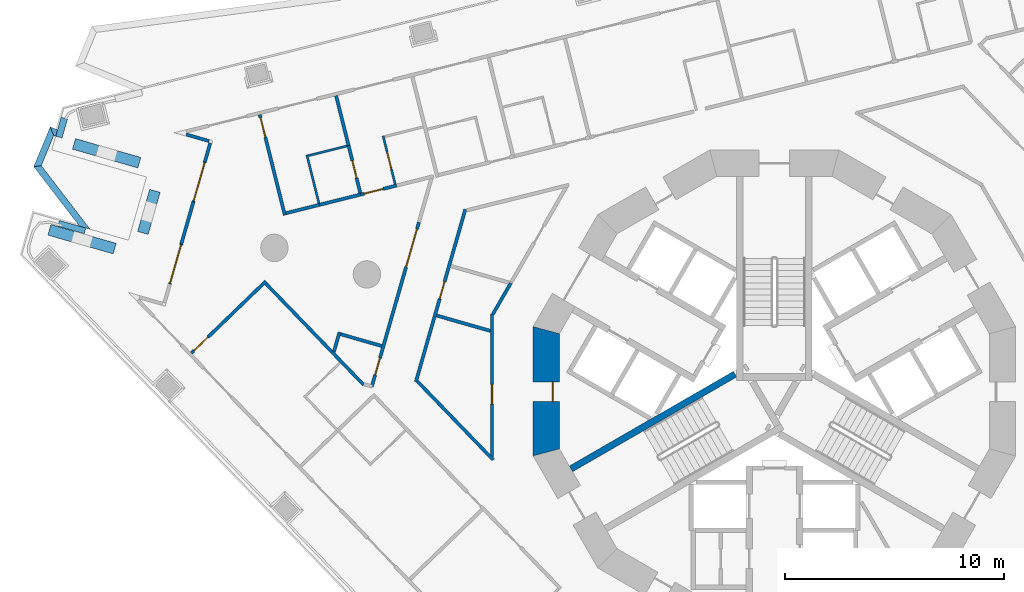
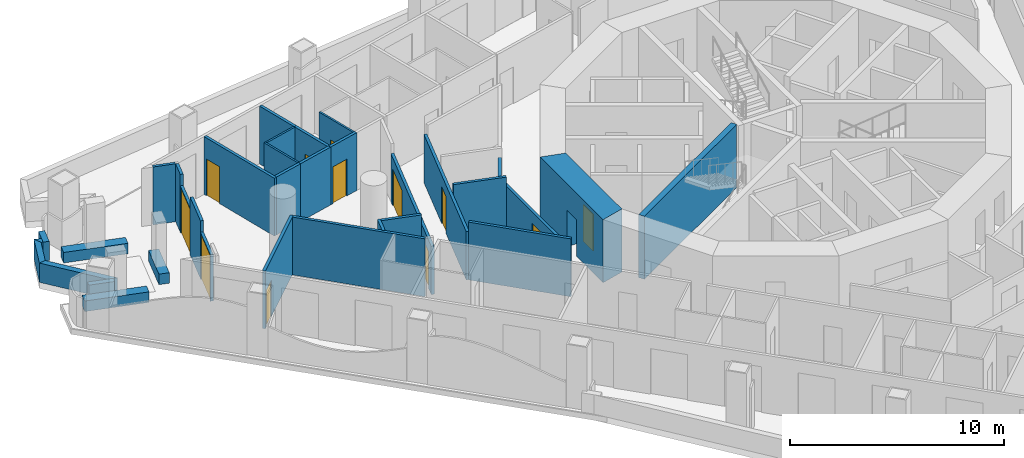
# One storey, part 6 of 19: 34 walls, 12 doors, 12 openings.
"""IFC4 building model written with IfcOpenShell, lengths in metres."""

from ifc_helpers import new_model, si_unit, direction, frame, frame_2d, origin, place, context, subcontext, project, spatial, polyline, rectangle, outline, extrude, material, layer, layer_set, type_object, element, fill, save


model = new_model("IFC4")

# Units and contexts
model_context = context("Model", 3, precision=1e-05, world=origin(), true_north=direction((0.0, 1.0)))
body_context = subcontext(model_context, "Body", "Model", "MODEL_VIEW")
ifc_project = project(units=[si_unit("LENGTHUNIT", "METRE"), si_unit("AREAUNIT", "SQUARE_METRE"), si_unit("VOLUMEUNIT", "CUBIC_METRE"), si_unit("PLANEANGLEUNIT", "RADIAN"), si_unit("MASSUNIT", "GRAM", prefix="KILO")], contexts=[model_context])

# Site, building, storey
site_placement = place(None, origin())
site = spatial("IfcSite", under=ifc_project, at=site_placement, CompositionType="ELEMENT")
building_placement = place(site_placement, origin())
building = spatial("IfcBuilding", under=site, at=building_placement, Name="Trine Commons Tower", CompositionType="ELEMENT")
storey_placement = place(building_placement, frame((0.0, 0.0, 87.300048828125)))
storey = spatial("IfcBuildingStorey", under=building, at=storey_placement, Name="L21", CompositionType="ELEMENT", Elevation=87.300048828125)

# Wall, opening, door
ifc_material_1 = material(Name="Aluminium-framed insulated wall panel", Category="aluminium")
ifc_layer_1 = layer(ifc_material_1, 0.14990234375)
ifc_layer_set_1 = layer_set([ifc_layer_1], Name="Aluminium-framed insulated wall panel")
wall_type_1 = type_object("IfcWallType", Name="Glazed frame wall 150, EI 60", PredefinedType="SOLIDWALL", material=ifc_layer_set_1)
wall_1_placement = place(storey_placement, frame((52.40771484375, 67.39501953125, 0.0), z_axis=(0.0, 0.0, 1.0), x_axis=(0.275620468433, 0.961266538157, 0.0)))
wall_1 = element("IfcWall", 1, at=wall_1_placement, inside=storey, type_object=wall_type_1, Name="Glazed frame wall P1.2", PredefinedType="SOLIDWALL", context=body_context, shape_type="SweptSolid", body=[
    extrude(outline(polyline([(0.0, -0.074951171875), (1.89990234375, -0.074951171875), (1.89990234375, 0.074951171875), (0.0, 0.074951171875), (0.0, -0.074951171875)])), origin(), (0.0, 0.0, 1.0), 2.64990234375),
])
opening_1_placement = place(wall_1_placement, frame((0.050048828125, 0.0, 0.0)))
opening_1 = element("IfcOpeningElement", 2, at=opening_1_placement, cuts=wall_1, Name="Opening BD-3P1-01", PredefinedType="OPENING", context=body_context, shape_type="SweptSolid", body=[
    extrude(rectangle(XDim=1.800048828125, YDim=2.60009765625, at=frame_2d((0.89990234375, 1.300048828125))), frame((0.0, 0.0849609375, 0.0), z_axis=(0.0, -1.0, 0.0), x_axis=(1.0, 0.0, 0.0)), (0.0, 0.0, 1.0), 0.169921875),
])
ifc_material_2 = material(Name="Anodised aluminium frame with double glazing", Category="aluminium")
door_type_1 = type_object("IfcDoorType", Name="Sliding loggia door 1800x2600", OperationType="SLIDING_TO_LEFT", PredefinedType="DOOR", material=ifc_material_2)
door_1_placement = place(opening_1_placement, origin())
door_1 = element("IfcDoor", 3, at=door_1_placement, inside=storey, type_object=door_type_1, Name="Loggia door P1 1", OperationType="SLIDING_TO_LEFT", OverallHeight=2.60009765625, OverallWidth=1.800048828125, PredefinedType="DOOR", context=body_context, shape_type="SweptSolid", body=[
    extrude(rectangle(XDim=1.800048828125, YDim=2.60009765625, at=frame_2d((0.89990234375, 1.300048828125))), frame((0.0, 0.02490234375, 0.0), z_axis=(0.0, -1.0, 0.0), x_axis=(1.0, 0.0, 0.0)), (0.0, 0.0, 1.0), 0.050048828125),
])
fill(opening_1, door_1)

# Wall
wall_2_placement = place(storey_placement, frame((52.931396484375, 69.221435546875, 0.0), z_axis=(0.0, 0.0, 1.0), x_axis=(0.275511032617, 0.961297909551, 0.0)))
element("IfcWall", 4, at=wall_2_placement, inside=storey, type_object=wall_type_1, Name="Glazed frame wall P1.3", PredefinedType="SOLIDWALL", context=body_context, shape_type="SweptSolid", body=[
    extrude(outline(polyline([(0.0, -0.074951171875), (2.0, -0.074951171875), (2.0, 0.074951171875), (0.0, 0.074951171875), (0.0, -0.074951171875)])), origin(), (0.0, 0.0, 1.0), 3.300048828125),
])

# Wall, opening, door
wall_3_placement = place(storey_placement, frame((53.482421875, 71.14404296875, 0.0), z_axis=(0.0, 0.0, 1.0), x_axis=(0.275739195228, 0.961232488119, 0.0)))
wall_3 = element("IfcWall", 5, at=wall_3_placement, inside=storey, type_object=wall_type_1, Name="Glazed frame wall P1.4", PredefinedType="SOLIDWALL", context=body_context, shape_type="SweptSolid", body=[
    extrude(outline(polyline([(0.0, -0.074951171875), (1.89990234375, -0.074951171875), (1.89990234375, 0.074951171875), (0.0, 0.074951171875), (0.0, -0.074951171875)])), origin(), (0.0, 0.0, 1.0), 2.64990234375),
])
opening_2_placement = place(wall_3_placement, frame((0.050048828125, 0.0, 0.0)))
opening_2 = element("IfcOpeningElement", 6, at=opening_2_placement, cuts=wall_3, Name="Opening BD-3P1-02", PredefinedType="OPENING", context=body_context, shape_type="SweptSolid", body=[
    extrude(rectangle(XDim=1.800048828125, YDim=2.60009765625, at=frame_2d((0.89990234375, 1.300048828125))), frame((0.0, 0.0849609375, 0.0), z_axis=(0.0, -1.0, 0.0), x_axis=(1.0, 0.0, 0.0)), (0.0, 0.0, 1.0), 0.169921875),
])
door_2_placement = place(opening_2_placement, origin())
door_2 = element("IfcDoor", 7, at=door_2_placement, inside=storey, type_object=door_type_1, Name="Loggia door P1 2", OperationType="SLIDING_TO_LEFT", OverallHeight=2.60009765625, OverallWidth=1.800048828125, PredefinedType="DOOR", context=body_context, shape_type="SweptSolid", body=[
    extrude(rectangle(XDim=1.800048828125, YDim=2.60009765625, at=frame_2d((0.89990234375, 1.300048828125))), frame((0.0, 0.02490234375, 0.0), z_axis=(0.0, -1.0, 0.0), x_axis=(1.0, 0.0, 0.0)), (0.0, 0.0, 1.0), 0.050048828125),
])
fill(opening_2, door_2)

# Walls
wall_4_placement = place(storey_placement, frame((54.00634765625, 72.970458984375, 0.0), z_axis=(0.0, 0.0, 1.0), x_axis=(0.275656175253, 0.961256299353, 0.0)))
element("IfcWall", 8, at=wall_4_placement, inside=storey, type_object=wall_type_1, Name="Glazed frame wall P1.5", PredefinedType="SOLIDWALL", context=body_context, shape_type="SweptSolid", body=[
    extrude(outline(polyline([(0.889892578125, 0.074951171875), (0.0, 0.074951171875), (0.0, -0.074951171875), (0.889892578125, -0.074951171875), (0.889892578125, 0.074951171875)])), origin(), (0.0, 0.0, 1.0), 3.300048828125),
])
wall_5_placement = place(storey_placement, frame((54.305908203125, 73.888427734375, 0.0), z_axis=(0.0, 0.0, 1.0), x_axis=(-0.961242628544, 0.275703843044, 0.0)))
element("IfcWall", 9, at=wall_5_placement, inside=storey, type_object=wall_type_1, Name="Glazed frame wall R3", PredefinedType="SOLIDWALL", context=body_context, shape_type="SweptSolid", body=[
    extrude(outline(polyline([(0.110107421875, 0.074951171875), (0.110107421875, -0.074951171875), (1.19580078125, -0.074951171875), (1.19580078125, 0.074951171875), (0.110107421875, 0.074951171875)])), origin(), (0.0, 0.0, 1.0), 3.300048828125),
])
ifc_material_3 = material(Name="Planter trough, precast concrete C40/50", Category="concrete")
ifc_layer_2 = layer(ifc_material_3, 0.5)
ifc_layer_set_2 = layer_set([ifc_layer_2], Name="Planter trough, precast concrete C40/50")
wall_type_2 = type_object("IfcWallType", Name="Planter trough 500x600", PredefinedType="PARAPET", material=ifc_layer_set_2)
wall_6_placement = place(storey_placement, frame((46.91064453125, 69.865966796875, 0.0), z_axis=(0.0, 0.0, 1.0), x_axis=(0.961261991794, -0.275636324044, 0.0)))
element("IfcWall", 10, at=wall_6_placement, inside=storey, type_object=wall_type_2, Name="Planter 1", PredefinedType="PARAPET", context=body_context, shape_type="SweptSolid", body=[
    extrude(rectangle(XDim=3.10009765625, YDim=0.5, at=frame_2d((1.550048828125, 0.0))), origin(), (0.0, 0.0, 1.0), 0.599853515625),
])
wall_7_placement = place(storey_placement, frame((51.177001953125, 69.724609375, 0.0), z_axis=(0.0, 0.0, 1.0), x_axis=(0.275623830648, 0.961265574115, 0.0)))
element("IfcWall", 11, at=wall_7_placement, inside=storey, type_object=wall_type_2, Name="Planter 2", PredefinedType="PARAPET", context=body_context, shape_type="SweptSolid", body=[
    extrude(rectangle(XDim=2.0, YDim=0.5, at=frame_2d((1.0, 0.0))), origin(), (0.0, 0.0, 1.0), 0.599853515625),
])
wall_8_placement = place(storey_placement, frame((51.01513671875, 72.93359375, 0.0), z_axis=(0.0, 0.0, 1.0), x_axis=(-0.961261991794, 0.275636324044, 0.0)))
element("IfcWall", 12, at=wall_8_placement, inside=storey, type_object=wall_type_2, Name="Planter 3", PredefinedType="PARAPET", context=body_context, shape_type="SweptSolid", body=[
    extrude(rectangle(XDim=3.10009765625, YDim=0.5, at=frame_2d((1.550048828125, 0.0))), origin(), (0.0, 0.0, 1.0), 0.599853515625),
])

# Wall, opening, door
ifc_material_4 = material(Name="Concrete C70/85", Category="concrete")
ifc_layer_3 = layer(ifc_material_4, 1.199951171875)
ifc_layer_set_3 = layer_set([ifc_layer_3], Name="Concrete C70/85")
wall_type_3 = type_object("IfcWallType", Name="RC shear wall 1200 mm, C70/85", PredefinedType="SHEAR", material=ifc_layer_set_3)
wall_9_placement = place(storey_placement, frame((69.58837890625, 65.450439453125, 0.0), z_axis=(0.0, 0.0, 1.0), x_axis=(0.0, -1.0, 0.0)))
wall_9 = element("IfcWall", 13, at=wall_9_placement, inside=storey, type_object=wall_type_3, Name="Core wall CWC-07 L21", PredefinedType="SHEAR", context=body_context, shape_type="SweptSolid", body=[
    extrude(outline(polyline([(0.0, -0.60009765625), (5.90087890625, -0.60009765625), (5.57958984375, 0.60009765625), (0.321533203125, 0.60009765625), (0.0, -0.60009765625)])), origin(), (0.0, 0.0, 1.0), 3.599853515625),
])
opening_3_placement = place(wall_9_placement, frame((2.525390625, 0.0, 0.0)))
opening_3 = element("IfcOpeningElement", 14, at=opening_3_placement, cuts=wall_9, Name="Opening K04.14", PredefinedType="OPENING", context=body_context, shape_type="SweptSolid", body=[
    extrude(rectangle(XDim=0.89990234375, YDim=2.10009765625, at=frame_2d((0.449951171875, 1.050048828125))), frame((0.0, 0.60986328125, 0.0), z_axis=(0.0, -1.0, 0.0), x_axis=(1.0, 0.0, 0.0)), (0.0, 0.0, 1.0), 1.219970703125),
])
ifc_material_5 = material(Name="Steel door leaf, fire-rated", Category="steel")
door_type_2 = type_object("IfcDoorType", Name="Core room door, single leaf 900 x 2100, FD30S", OperationType="SINGLE_SWING_LEFT", PredefinedType="DOOR", material=ifc_material_5)
door_3_placement = place(opening_3_placement, origin())
door_3 = element("IfcDoor", 15, at=door_3_placement, inside=storey, type_object=door_type_2, Name="Door to Print room L21", OperationType="SINGLE_SWING_RIGHT", OverallHeight=2.10009765625, OverallWidth=0.89990234375, PredefinedType="DOOR", context=body_context, shape_type="SweptSolid", body=[
    extrude(rectangle(XDim=0.89990234375, YDim=2.10009765625, at=frame_2d((0.449951171875, 1.050048828125))), frame((0.0, 0.3251953125, 0.0), z_axis=(0.0, -1.0, 0.0), x_axis=(1.0, 0.0, 0.0)), (0.0, 0.0, 1.0), 0.050048828125),
])
fill(opening_3, door_3)

# Walls
ifc_layer_4 = layer(ifc_material_4, 0.300048828125)
ifc_layer_set_4 = layer_set([ifc_layer_4], Name="Concrete C70/85")
wall_type_4 = type_object("IfcWallType", Name="RC shear wall 300 mm, C70/85", PredefinedType="SHEAR", material=ifc_layer_set_4)
wall_10_placement = place(storey_placement, frame((78.199951171875, 63.280029296875, 0.0), z_axis=(0.0, 0.0, 1.0), x_axis=(-0.865965399159, -0.500103916661, 0.0)))
element("IfcWall", 16, at=wall_10_placement, inside=storey, type_object=wall_type_4, Name="Core cross wall SWA-07 L21", PredefinedType="SHEAR", context=body_context, shape_type="SweptSolid", body=[
    extrude(rectangle(XDim=8.642333984375, YDim=0.300048828125, at=frame_2d((4.3212890625, 0.0))), origin(), (0.0, 0.0, 1.0), 3.599853515625),
])
ifc_material_6 = material(Name="Limestone, honed", Category="masonry")
ifc_layer_5 = layer(ifc_material_6, 0.300048828125)
ifc_layer_set_5 = layer_set([ifc_layer_5], Name="Limestone, honed")
wall_type_5 = type_object("IfcWallType", Name="Stone parapet 300", PredefinedType="PARAPET", material=ifc_layer_set_5)
wall_11_placement = place(storey_placement, origin())
element("IfcWall", 17, at=wall_11_placement, inside=storey, type_object=wall_type_5, Name="Sliver roof parapet L20 1.1", PredefinedType="PARAPET", context=body_context, shape_type="SweptSolid", body=[
    extrude(outline(polyline([(47.28271484375, 74.428466796875), (46.948486328125, 74.56689453125), (47.110595703125, 74.1748046875), (47.199462890625, 74.13818359375), (47.28271484375, 74.428466796875)])), origin(), (0.0, 0.0, 1.0), 1.099853515625),
])
wall_12_placement = place(storey_placement, origin())
element("IfcWall", 18, at=wall_12_placement, inside=storey, type_object=wall_type_5, Name="Sliver roof parapet L20 1.2", PredefinedType="PARAPET", context=body_context, shape_type="SweptSolid", body=[
    extrude(outline(polyline([(46.948486328125, 74.56689453125), (46.19677734375, 72.752197265625), (46.5400390625, 72.797607421875), (47.110595703125, 74.1748046875), (46.948486328125, 74.56689453125)])), origin(), (0.0, 0.0, 1.0), 1.099853515625),
])
wall_13_placement = place(storey_placement, origin())
element("IfcWall", 19, at=wall_13_placement, inside=storey, type_object=wall_type_5, Name="Sliver roof parapet L20 1.3", PredefinedType="PARAPET", context=body_context, shape_type="SweptSolid", body=[
    extrude(outline(polyline([(46.19677734375, 72.752197265625), (48.281982421875, 70.034423828125), (48.766845703125, 69.8955078125), (46.5400390625, 72.797607421875), (46.19677734375, 72.752197265625)])), origin(), (0.0, 0.0, 1.0), 1.099853515625),
])
wall_14_placement = place(storey_placement, origin())
element("IfcWall", 20, at=wall_14_placement, inside=storey, type_object=wall_type_5, Name="Sliver roof parapet extension L20 1.X1", PredefinedType="PARAPET", context=body_context, shape_type="SweptSolid", body=[
    extrude(outline(polyline([(47.199951171875, 74.139892578125), (47.48828125, 74.057373046875), (47.736328125, 74.922607421875), (47.447998046875, 75.005126953125), (47.28662109375, 74.442138671875), (47.199951171875, 74.139892578125)])), origin(), (0.0, 0.0, 1.0), 1.099853515625),
])
wall_15_placement = place(storey_placement, origin())
element("IfcWall", 21, at=wall_15_placement, inside=storey, type_object=wall_type_5, Name="Sliver roof parapet extension L20 1.X2", PredefinedType="PARAPET", context=body_context, shape_type="SweptSolid", body=[
    extrude(outline(polyline([(47.368896484375, 70.29638671875), (47.29443359375, 70.036865234375), (48.49609375, 69.6923828125), (48.570556640625, 69.951904296875), (48.051025390625, 70.100830078125), (47.368896484375, 70.29638671875)])), origin(), (0.0, 0.0, 1.0), 1.099853515625),
])

# Wall, opening, door
ifc_material_7 = material(Name="Gypsum plasterboard on steel stud", Category="steel")
ifc_layer_6 = layer(ifc_material_7, 0.14990234375)
ifc_layer_set_6 = layer_set([ifc_layer_6], Name="Gypsum plasterboard on steel stud")
wall_type_6 = type_object("IfcWallType", Name="Unit and corridor wall 150 mm, EI 60", PredefinedType="PARTITIONING", material=ifc_layer_set_6)
wall_16_placement = place(storey_placement, frame((53.393798828125, 64.24169921875, 0.0), z_axis=(0.0, 0.0, 1.0), x_axis=(0.719250925674, 0.694750391088, 0.0)))
wall_16 = element("IfcWall", 22, at=wall_16_placement, inside=storey, type_object=wall_type_6, Name="Partition 001", PredefinedType="PARTITIONING", context=body_context, shape_type="SweptSolid", body=[
    extrude(rectangle(XDim=4.723388671875, YDim=0.14990234375, at=frame_2d((2.36181640625, 0.0))), origin(), (0.0, 0.0, 1.0), 3.300048828125),
])
opening_4_placement = place(wall_16_placement, frame((0.14990234375, 0.0, 0.0)))
opening_4 = element("IfcOpeningElement", 23, at=opening_4_placement, cuts=wall_16, Name="Opening D-3A28", PredefinedType="OPENING", context=body_context, shape_type="SweptSolid", body=[
    extrude(rectangle(XDim=0.89990234375, YDim=2.10009765625, at=frame_2d((0.449951171875, 1.050048828125))), frame((0.0, 0.0849609375, 0.0), z_axis=(0.0, -1.0, 0.0), x_axis=(1.0, 0.0, 0.0)), (0.0, 0.0, 1.0), 0.169921875),
])
ifc_material_8 = material(Name="Timber fire door set", Category="wood")
door_type_3 = type_object("IfcDoorType", Name="Bedroom door 900 x 2100, FD30S", OperationType="NOTDEFINED", PredefinedType="DOOR", material=ifc_material_8)
door_4_placement = place(opening_4_placement, frame((0.89990234375, 0.0, 0.0), z_axis=(0.0, 0.0, 1.0), x_axis=(-1.0, 0.0, 0.0)))
door_4 = element("IfcDoor", 24, at=door_4_placement, inside=storey, type_object=door_type_3, Name="Door D-3A28", OperationType="SINGLE_SWING_RIGHT", OverallHeight=2.10009765625, OverallWidth=0.89990234375, PredefinedType="DOOR", context=body_context, shape_type="SweptSolid", body=[
    extrude(rectangle(XDim=0.89990234375, YDim=2.10009765625, at=frame_2d((0.449951171875, 1.050048828125))), frame((0.0, 0.02490234375, 0.0), z_axis=(0.0, -1.0, 0.0), x_axis=(1.0, 0.0, 0.0)), (0.0, 0.0, 1.0), 0.050048828125),
])
fill(opening_4, door_4)

wall_17_placement = place(storey_placement, frame((56.513671875, 75.122314453125, 0.0), z_axis=(0.0, 0.0, 1.0), x_axis=(0.24185448203, -0.970312531879, 0.0)))
wall_17 = element("IfcWall", 25, at=wall_17_placement, inside=storey, type_object=wall_type_6, Name="Partition 002", PredefinedType="PARTITIONING", context=body_context, shape_type="SweptSolid", body=[
    extrude(rectangle(XDim=4.72314453125, YDim=0.14990234375, at=frame_2d((2.361572265625, 0.0))), origin(), (0.0, 0.0, 1.0), 3.300048828125),
])
opening_5_placement = place(wall_17_placement, frame((0.14990234375, 0.0, 0.0)))
opening_5 = element("IfcOpeningElement", 26, at=opening_5_placement, cuts=wall_17, Name="Opening D-3A07", PredefinedType="OPENING", context=body_context, shape_type="SweptSolid", body=[
    extrude(rectangle(XDim=0.89990234375, YDim=2.10009765625, at=frame_2d((0.449951171875, 1.050048828125))), frame((0.0, 0.0849609375, 0.0), z_axis=(0.0, -1.0, 0.0), x_axis=(1.0, 0.0, 0.0)), (0.0, 0.0, 1.0), 0.169921875),
])
door_5_placement = place(opening_5_placement, origin())
door_5 = element("IfcDoor", 27, at=door_5_placement, inside=storey, type_object=door_type_3, Name="Door D-3A07", OperationType="SINGLE_SWING_LEFT", OverallHeight=2.10009765625, OverallWidth=0.89990234375, PredefinedType="DOOR", context=body_context, shape_type="SweptSolid", body=[
    extrude(rectangle(XDim=0.89990234375, YDim=2.10009765625, at=frame_2d((0.449951171875, 1.050048828125))), frame((0.0, 0.02490234375, 0.0), z_axis=(0.0, -1.0, 0.0), x_axis=(1.0, 0.0, 0.0)), (0.0, 0.0, 1.0), 0.050048828125),
])
fill(opening_5, door_5)

# Walls
wall_18_placement = place(storey_placement, frame((56.7890625, 67.4169921875, 0.0), z_axis=(0.0, 0.0, 1.0), x_axis=(0.694658112977, -0.719340048986, 0.0)))
element("IfcWall", 28, at=wall_18_placement, inside=storey, type_object=wall_type_6, Name="Partition 003", PredefinedType="PARTITIONING", context=body_context, shape_type="SweptSolid", body=[
    extrude(rectangle(XDim=6.439453125, YDim=0.14990234375, at=frame_2d((3.2197265625, 0.0))), origin(), (0.0, 0.0, 1.0), 3.300048828125),
])
wall_19_placement = place(storey_placement, frame((57.710693359375, 70.630126953125, 0.0), z_axis=(0.0, 0.0, 1.0), x_axis=(0.970352827437, 0.2416927601, 0.0)))
element("IfcWall", 29, at=wall_19_placement, inside=storey, type_object=wall_type_6, Name="Partition 004", PredefinedType="PARTITIONING", context=body_context, shape_type="SweptSolid", body=[
    extrude(rectangle(XDim=1.567626953125, YDim=0.14990234375, at=frame_2d((0.78369140625, 0.0))), origin(), (0.0, 0.0, 1.0), 3.300048828125),
])
wall_20_placement = place(storey_placement, frame((59.22509765625, 71.007080078125, 0.0), z_axis=(0.0, 0.0, 1.0), x_axis=(0.970245142025, 0.242124687666, 0.0)))
element("IfcWall", 30, at=wall_20_placement, inside=storey, type_object=wall_type_6, Name="Partition 010", PredefinedType="PARTITIONING", context=body_context, shape_type="SweptSolid", body=[
    extrude(rectangle(XDim=1.957275390625, YDim=0.14990234375, at=frame_2d((0.978515625, 0.0))), origin(), (0.0, 0.0, 1.0), 3.300048828125),
])
wall_21_placement = place(storey_placement, frame((59.8935546875, 64.295166015625, 0.0), z_axis=(0.0, 0.0, 1.0), x_axis=(0.275099226296, 0.96141583911, 0.0)))
element("IfcWall", 31, at=wall_21_placement, inside=storey, type_object=wall_type_6, Name="Partition 011", PredefinedType="PARTITIONING", context=body_context, shape_type="SweptSolid", body=[
    extrude(rectangle(XDim=0.93798828125, YDim=0.14990234375, at=frame_2d((0.468994140625, 0.0))), origin(), (0.0, 0.0, 1.0), 3.300048828125),
])
wall_22_placement = place(storey_placement, frame((59.99560546875, 75.990234375, 0.0), z_axis=(0.0, 0.0, 1.0), x_axis=(0.242046315203, -0.970264696511, 0.0)))
element("IfcWall", 32, at=wall_22_placement, inside=storey, type_object=wall_type_6, Name="Partition 012", PredefinedType="PARTITIONING", context=body_context, shape_type="SweptSolid", body=[
    extrude(rectangle(XDim=2.34814453125, YDim=0.14990234375, at=frame_2d((1.174072265625, 0.0))), origin(), (0.0, 0.0, 1.0), 3.300048828125),
])
wall_23_placement = place(storey_placement, frame((60.203125, 65.104248046875, 0.0), z_axis=(0.0, 0.0, 1.0), x_axis=(0.961258970078, -0.275646861845, 0.0)))
element("IfcWall", 33, at=wall_23_placement, inside=storey, type_object=wall_type_6, Name="Partition 013", PredefinedType="PARTITIONING", context=body_context, shape_type="SweptSolid", body=[
    extrude(rectangle(XDim=1.9501953125, YDim=0.14990234375, at=frame_2d((0.97509765625, 0.0))), origin(), (0.0, 0.0, 1.0), 3.300048828125),
])

# Wall, opening, door
wall_24_placement = place(storey_placement, frame((60.56396484375, 73.7119140625, 0.0), z_axis=(0.0, 0.0, 1.0), x_axis=(0.241709422817, -0.970348676982, 0.0)))
wall_24 = element("IfcWall", 34, at=wall_24_placement, inside=storey, type_object=wall_type_6, Name="Partition 014", PredefinedType="PARTITIONING", context=body_context, shape_type="SweptSolid", body=[
    extrude(rectangle(XDim=2.22509765625, YDim=0.14990234375, at=frame_2d((1.112548828125, 0.0))), origin(), (0.0, 0.0, 1.0), 3.300048828125),
])
opening_6_placement = place(wall_24_placement, frame((0.712646484375, 0.0, 0.0)))
opening_6 = element("IfcOpeningElement", 35, at=opening_6_placement, cuts=wall_24, Name="Opening D-3A36", PredefinedType="OPENING", context=body_context, shape_type="SweptSolid", body=[
    extrude(rectangle(XDim=0.800048828125, YDim=2.10009765625, at=frame_2d((0.39990234375, 1.050048828125))), frame((0.0, 0.0849609375, 0.0), z_axis=(0.0, -1.0, 0.0), x_axis=(1.0, 0.0, 0.0)), (0.0, 0.0, 1.0), 0.169921875),
])
ifc_material_9 = material(Name="Painted timber", Category="wood")
door_type_4 = type_object("IfcDoorType", Name="Internal door 800 x 2100, NOT RATED", OperationType="NOTDEFINED", PredefinedType="DOOR", material=ifc_material_9)
door_6_placement = place(opening_6_placement, origin())
door_6 = element("IfcDoor", 36, at=door_6_placement, inside=storey, type_object=door_type_4, Name="Door D-3A36", OperationType="SINGLE_SWING_LEFT", OverallHeight=2.10009765625, OverallWidth=0.800048828125, PredefinedType="DOOR", context=body_context, shape_type="SweptSolid", body=[
    extrude(rectangle(XDim=0.800048828125, YDim=2.10009765625, at=frame_2d((0.39990234375, 1.050048828125))), frame((0.0, 0.02490234375, 0.0), z_axis=(0.0, -1.0, 0.0), x_axis=(1.0, 0.0, 0.0)), (0.0, 0.0, 1.0), 0.050048828125),
])
fill(opening_6, door_6)

wall_25_placement = place(storey_placement, frame((61.115966796875, 71.47900390625, 0.0), z_axis=(0.0, 0.0, 1.0), x_axis=(0.970311632009, 0.241858092252, 0.0)))
wall_25 = element("IfcWall", 37, at=wall_25_placement, inside=storey, type_object=wall_type_6, Name="Partition 015", PredefinedType="PARTITIONING", context=body_context, shape_type="SweptSolid", body=[
    extrude(rectangle(XDim=1.69580078125, YDim=0.14990234375, at=frame_2d((0.847900390625, 0.0))), origin(), (0.0, 0.0, 1.0), 3.300048828125),
])
opening_7_placement = place(wall_25_placement, frame((0.154052734375, 0.0, 0.0)))
opening_7 = element("IfcOpeningElement", 38, at=opening_7_placement, cuts=wall_25, Name="Opening D-3A08", PredefinedType="OPENING", context=body_context, shape_type="SweptSolid", body=[
    extrude(rectangle(XDim=0.89990234375, YDim=2.10009765625, at=frame_2d((0.449951171875, 1.050048828125))), frame((0.0, 0.0849609375, 0.0), z_axis=(0.0, -1.0, 0.0), x_axis=(1.0, 0.0, 0.0)), (0.0, 0.0, 1.0), 0.169921875),
])
door_7_placement = place(opening_7_placement, origin())
door_7 = element("IfcDoor", 39, at=door_7_placement, inside=storey, type_object=door_type_3, Name="Door D-3A08", OperationType="SINGLE_SWING_LEFT", OverallHeight=2.10009765625, OverallWidth=0.89990234375, PredefinedType="DOOR", context=body_context, shape_type="SweptSolid", body=[
    extrude(rectangle(XDim=0.89990234375, YDim=2.10009765625, at=frame_2d((0.449951171875, 1.050048828125))), frame((0.0, 0.02490234375, 0.0), z_axis=(0.0, -1.0, 0.0), x_axis=(1.0, 0.0, 0.0)), (0.0, 0.0, 1.0), 0.050048828125),
])
fill(opening_7, door_7)

# Wall, openings, doors
wall_26_placement = place(storey_placement, frame((61.625, 62.715087890625, 0.0), z_axis=(0.0, 0.0, 1.0), x_axis=(0.275614307244, 0.961268304711, 0.0)))
wall_26 = element("IfcWall", 40, at=wall_26_placement, inside=storey, type_object=wall_type_6, Name="Partition 018", PredefinedType="PARTITIONING", context=body_context, shape_type="SweptSolid", body=[
    extrude(rectangle(XDim=7.796875, YDim=0.14990234375, at=frame_2d((3.8984375, 0.0))), origin(), (0.0, 0.0, 1.0), 2.75),
])
opening_8_placement = place(wall_26_placement, frame((5.67919921875, 0.0, 0.0)))
opening_8 = element("IfcOpeningElement", 41, at=opening_8_placement, cuts=wall_26, Name="Opening D-3A03", PredefinedType="OPENING", context=body_context, shape_type="SweptSolid", body=[
    extrude(rectangle(XDim=1.800048828125, YDim=2.10009765625, at=frame_2d((0.89990234375, 1.050048828125))), frame((0.0, 0.0849609375, 0.0), z_axis=(0.0, -1.0, 0.0), x_axis=(1.0, 0.0, 0.0)), (0.0, 0.0, 1.0), 0.169921875),
])
opening_9_placement = place(wall_26_placement, frame((0.554443359375, 0.0, 0.0)))
opening_9 = element("IfcOpeningElement", 42, at=opening_9_placement, cuts=wall_26, Name="Opening D-3A06", PredefinedType="OPENING", context=body_context, shape_type="SweptSolid", body=[
    extrude(rectangle(XDim=0.800048828125, YDim=2.10009765625, at=frame_2d((0.39990234375, 1.050048828125))), frame((0.0, 0.0849609375, 0.0), z_axis=(0.0, -1.0, 0.0), x_axis=(1.0, 0.0, 0.0)), (0.0, 0.0, 1.0), 0.169921875),
])
door_type_5 = type_object("IfcDoorType", Name="Cluster entrance door 1800 x 2100, double leaf, FD30S", OperationType="DOUBLE_DOOR_DOUBLE_SWING", PredefinedType="DOOR", material=ifc_material_8)
door_8_placement = place(opening_8_placement, origin())
door_8 = element("IfcDoor", 43, at=door_8_placement, inside=storey, type_object=door_type_5, Name="Door D-3A03", OperationType="DOUBLE_DOOR_DOUBLE_SWING", OverallHeight=2.10009765625, OverallWidth=1.800048828125, PredefinedType="DOOR", context=body_context, shape_type="SweptSolid", body=[
    extrude(rectangle(XDim=1.800048828125, YDim=2.10009765625, at=frame_2d((0.89990234375, 1.050048828125))), frame((0.0, 0.02490234375, 0.0), z_axis=(0.0, -1.0, 0.0), x_axis=(1.0, 0.0, 0.0)), (0.0, 0.0, 1.0), 0.050048828125),
])
fill(opening_8, door_8)
door_type_6 = type_object("IfcDoorType", Name="Toilet door 800 x 2100, NOT RATED", OperationType="NOTDEFINED", PredefinedType="DOOR", material=ifc_material_9)
door_9_placement = place(opening_9_placement, origin())
door_9 = element("IfcDoor", 44, at=door_9_placement, inside=storey, type_object=door_type_6, Name="Door D-3A06", OperationType="SINGLE_SWING_LEFT", OverallHeight=2.10009765625, OverallWidth=0.800048828125, PredefinedType="DOOR", context=body_context, shape_type="SweptSolid", body=[
    extrude(rectangle(XDim=0.800048828125, YDim=2.10009765625, at=frame_2d((0.39990234375, 1.050048828125))), frame((0.0, 0.02490234375, 0.0), z_axis=(0.0, -1.0, 0.0), x_axis=(1.0, 0.0, 0.0)), (0.0, 0.0, 1.0), 0.050048828125),
])
fill(opening_9, door_9)

# Wall, opening, door
wall_27_placement = place(storey_placement, frame((63.63720703125, 62.930908203125, 0.0), z_axis=(0.0, 0.0, 1.0), x_axis=(0.275598829518, 0.961272742341, 0.0)))
wall_27 = element("IfcWall", 45, at=wall_27_placement, inside=storey, type_object=wall_type_6, Name="Partition 025", PredefinedType="PARTITIONING", context=body_context, shape_type="SweptSolid", body=[
    extrude(rectangle(XDim=8.19140625, YDim=0.14990234375, at=frame_2d((4.095703125, 0.0))), origin(), (0.0, 0.0, 1.0), 2.75),
])
opening_10_placement = place(wall_27_placement, frame((3.94580078125, 0.0, 0.0)))
opening_10 = element("IfcOpeningElement", 46, at=opening_10_placement, cuts=wall_27, Name="Opening D-3A34", PredefinedType="OPENING", context=body_context, shape_type="SweptSolid", body=[
    extrude(rectangle(XDim=0.800048828125, YDim=2.10009765625, at=frame_2d((0.39990234375, 1.050048828125))), frame((0.0, 0.0849609375, 0.0), z_axis=(0.0, -1.0, 0.0), x_axis=(1.0, 0.0, 0.0)), (0.0, 0.0, 1.0), 0.169921875),
])
door_10_placement = place(opening_10_placement, frame((0.800048828125, 0.0, 0.0), z_axis=(0.0, 0.0, 1.0), x_axis=(-1.0, 0.0, 0.0)))
door_10 = element("IfcDoor", 47, at=door_10_placement, inside=storey, type_object=door_type_6, Name="Door D-3A34", OperationType="SINGLE_SWING_LEFT", OverallHeight=2.10009765625, OverallWidth=0.800048828125, PredefinedType="DOOR", context=body_context, shape_type="SweptSolid", body=[
    extrude(rectangle(XDim=0.800048828125, YDim=2.10009765625, at=frame_2d((0.39990234375, 1.050048828125))), frame((0.0, 0.02490234375, 0.0), z_axis=(0.0, -1.0, 0.0), x_axis=(1.0, 0.0, 0.0)), (0.0, 0.0, 1.0), 0.050048828125),
])
fill(opening_10, door_10)

# Walls
wall_28_placement = place(storey_placement, frame((63.710205078125, 62.948974609375, 0.0), z_axis=(0.0, 0.0, 1.0), x_axis=(0.694628677397, -0.719368473411, 0.0)))
element("IfcWall", 48, at=wall_28_placement, inside=storey, type_object=wall_type_6, Name="Partition 026", PredefinedType="PARTITIONING", context=body_context, shape_type="SweptSolid", body=[
    extrude(rectangle(XDim=4.9736328125, YDim=0.14990234375, at=frame_2d((2.48681640625, 0.0))), origin(), (0.0, 0.0, 1.0), 3.300048828125),
])
wall_29_placement = place(storey_placement, frame((64.5830078125, 65.958251953125, 0.0), z_axis=(0.0, 0.0, 1.0), x_axis=(0.961285789876, -0.275553316407, 0.0)))
element("IfcWall", 49, at=wall_29_placement, inside=storey, type_object=wall_type_6, Name="Partition 029", PredefinedType="PARTITIONING", context=body_context, shape_type="SweptSolid", body=[
    extrude(rectangle(XDim=2.556884765625, YDim=0.14990234375, at=frame_2d((1.2783203125, 0.0))), origin(), (0.0, 0.0, 1.0), 3.300048828125),
])

# Wall, opening, door
wall_30_placement = place(storey_placement, frame((67.113037109375, 59.49609375, 0.0), z_axis=(0.0, 0.0, 1.0), x_axis=(0.0, 1.0, 0.0)))
wall_30 = element("IfcWall", 50, at=wall_30_placement, inside=storey, type_object=wall_type_6, Name="Partition 036", PredefinedType="PARTITIONING", context=body_context, shape_type="SweptSolid", body=[
    extrude(rectangle(XDim=6.531982421875, YDim=0.14990234375, at=frame_2d((3.26611328125, 0.0))), origin(), (0.0, 0.0, 1.0), 2.75),
])
opening_11_placement = place(wall_30_placement, frame((2.41845703125, 0.0, 0.0)))
opening_11 = element("IfcOpeningElement", 51, at=opening_11_placement, cuts=wall_30, Name="Opening D-3A30", PredefinedType="OPENING", context=body_context, shape_type="SweptSolid", body=[
    extrude(rectangle(XDim=0.89990234375, YDim=2.10009765625, at=frame_2d((0.449951171875, 1.050048828125))), frame((0.0, 0.0849609375, 0.0), z_axis=(0.0, -1.0, 0.0), x_axis=(1.0, 0.0, 0.0)), (0.0, 0.0, 1.0), 0.169921875),
])
door_type_7 = type_object("IfcDoorType", Name="Service door 900 x 2100, FD30S", OperationType="NOTDEFINED", PredefinedType="DOOR", material=ifc_material_8)
door_11_placement = place(opening_11_placement, origin())
door_11 = element("IfcDoor", 52, at=door_11_placement, inside=storey, type_object=door_type_7, Name="Door D-3A30", OperationType="SINGLE_SWING_LEFT", OverallHeight=2.10009765625, OverallWidth=0.89990234375, PredefinedType="DOOR", context=body_context, shape_type="SweptSolid", body=[
    extrude(rectangle(XDim=0.89990234375, YDim=2.10009765625, at=frame_2d((0.449951171875, 1.050048828125))), frame((0.0, 0.02490234375, 0.0), z_axis=(0.0, -1.0, 0.0), x_axis=(1.0, 0.0, 0.0)), (0.0, 0.0, 1.0), 0.050048828125),
])
fill(opening_11, door_11)

# Walls
wall_31_placement = place(storey_placement, frame((67.150390625, 66.01806640625, 0.0), z_axis=(0.0, 0.0, 1.0), x_axis=(0.49971385212, 0.866190548321, 0.0)))
element("IfcWall", 53, at=wall_31_placement, inside=storey, type_object=wall_type_6, Name="Partition 037", PredefinedType="PARTITIONING", context=body_context, shape_type="SweptSolid", body=[
    extrude(rectangle(XDim=1.63818359375, YDim=0.14990234375, at=frame_2d((0.819091796875, 0.0))), origin(), (0.0, 0.0, 1.0), 2.75),
])
ifc_layer_7 = layer(ifc_material_7, 0.10009765625)
ifc_layer_set_7 = layer_set([ifc_layer_7], Name="Gypsum plasterboard on steel stud")
wall_type_7 = type_object("IfcWallType", Name="Unit partition 100 mm, no rating", PredefinedType="PARTITIONING", material=ifc_layer_set_7)
wall_32_placement = place(storey_placement, frame((58.658935546875, 73.28857421875, 0.0), z_axis=(0.0, 0.0, 1.0), x_axis=(0.242156763047, -0.97023713705, 0.0)))
element("IfcWall", 54, at=wall_32_placement, inside=storey, type_object=wall_type_7, Name="Partition 008", PredefinedType="PARTITIONING", context=body_context, shape_type="SweptSolid", body=[
    extrude(rectangle(XDim=2.2744140625, YDim=0.10009765625, at=frame_2d((1.13720703125, 0.0))), origin(), (0.0, 0.0, 1.0), 3.300048828125),
])
wall_33_placement = place(storey_placement, frame((58.719482421875, 73.252197265625, 0.0), z_axis=(0.0, 0.0, 1.0), x_axis=(0.970307441934, 0.241874901813, 0.0)))
element("IfcWall", 55, at=wall_33_placement, inside=storey, type_object=wall_type_7, Name="Partition 009", PredefinedType="PARTITIONING", context=body_context, shape_type="SweptSolid", body=[
    extrude(rectangle(XDim=1.825927734375, YDim=0.10009765625, at=frame_2d((0.9130859375, 0.0))), origin(), (0.0, 0.0, 1.0), 3.300048828125),
])

# Wall, opening, door
wall_34_placement = place(storey_placement, frame((62.140869140625, 74.156494140625, 0.0), z_axis=(0.0, 0.0, 1.0), x_axis=(0.241853593672, -0.970312753306, 0.0)))
wall_34 = element("IfcWall", 56, at=wall_34_placement, inside=storey, type_object=wall_type_7, Name="Partition 020", PredefinedType="PARTITIONING", context=body_context, shape_type="SweptSolid", body=[
    extrude(rectangle(XDim=2.2744140625, YDim=0.10009765625, at=frame_2d((1.13720703125, 0.0))), origin(), (0.0, 0.0, 1.0), 3.300048828125),
])
opening_12_placement = place(wall_34_placement, frame((0.76220703125, 0.0, 0.0)))
opening_12 = element("IfcOpeningElement", 57, at=opening_12_placement, cuts=wall_34, Name="Opening D-3A37", PredefinedType="OPENING", context=body_context, shape_type="SweptSolid", body=[
    extrude(rectangle(XDim=0.800048828125, YDim=2.10009765625, at=frame_2d((0.39990234375, 1.050048828125))), frame((0.0, 0.06005859375, 0.0), z_axis=(0.0, -1.0, 0.0), x_axis=(1.0, 0.0, 0.0)), (0.0, 0.0, 1.0), 0.1201171875),
])
door_12_placement = place(opening_12_placement, frame((0.800048828125, 0.0, 0.0), z_axis=(0.0, 0.0, 1.0), x_axis=(-1.0, 0.0, 0.0)))
door_12 = element("IfcDoor", 58, at=door_12_placement, inside=storey, type_object=door_type_4, Name="Door D-3A37", OperationType="SINGLE_SWING_LEFT", OverallHeight=2.10009765625, OverallWidth=0.800048828125, PredefinedType="DOOR", context=body_context, shape_type="SweptSolid", body=[
    extrude(rectangle(XDim=0.800048828125, YDim=2.10009765625, at=frame_2d((0.39990234375, 1.050048828125))), frame((0.0, 0.02490234375, 0.0), z_axis=(0.0, -1.0, 0.0), x_axis=(1.0, 0.0, 0.0)), (0.0, 0.0, 1.0), 0.050048828125),
])
fill(opening_12, door_12)

save(model, "model.ifc")
